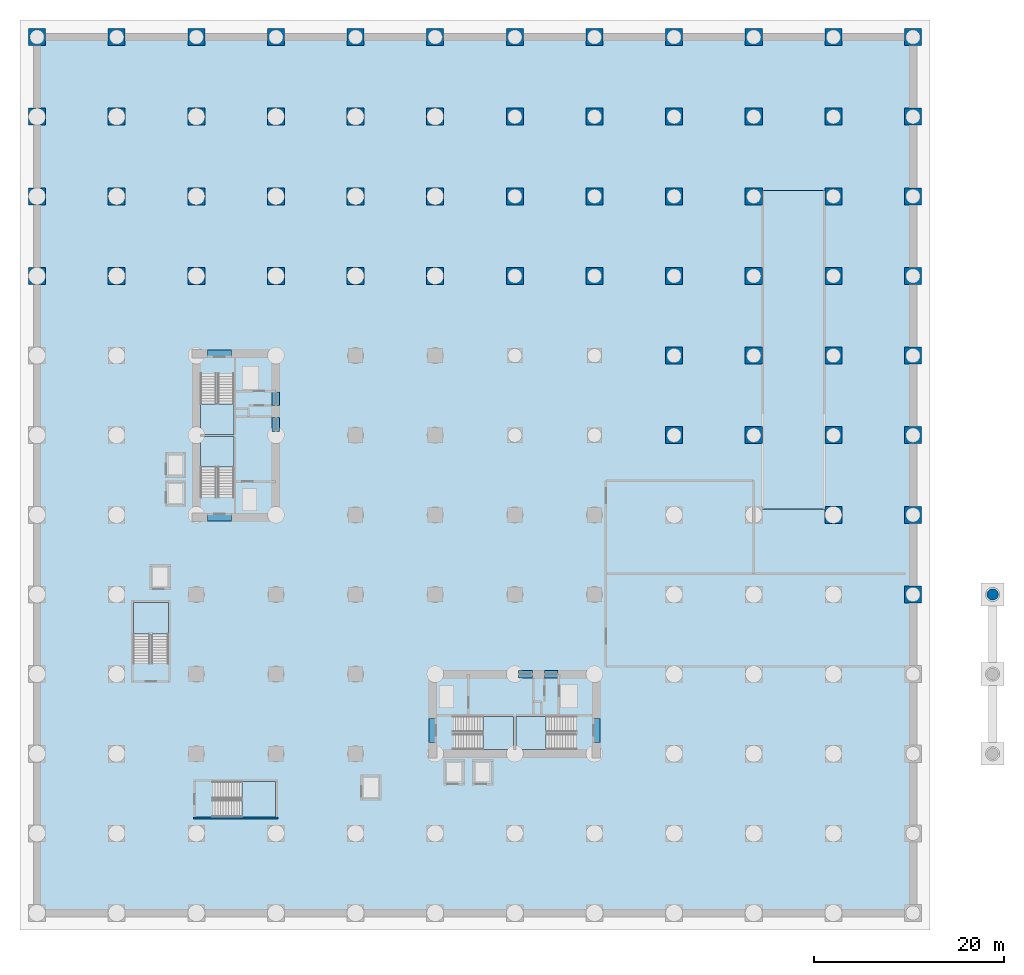
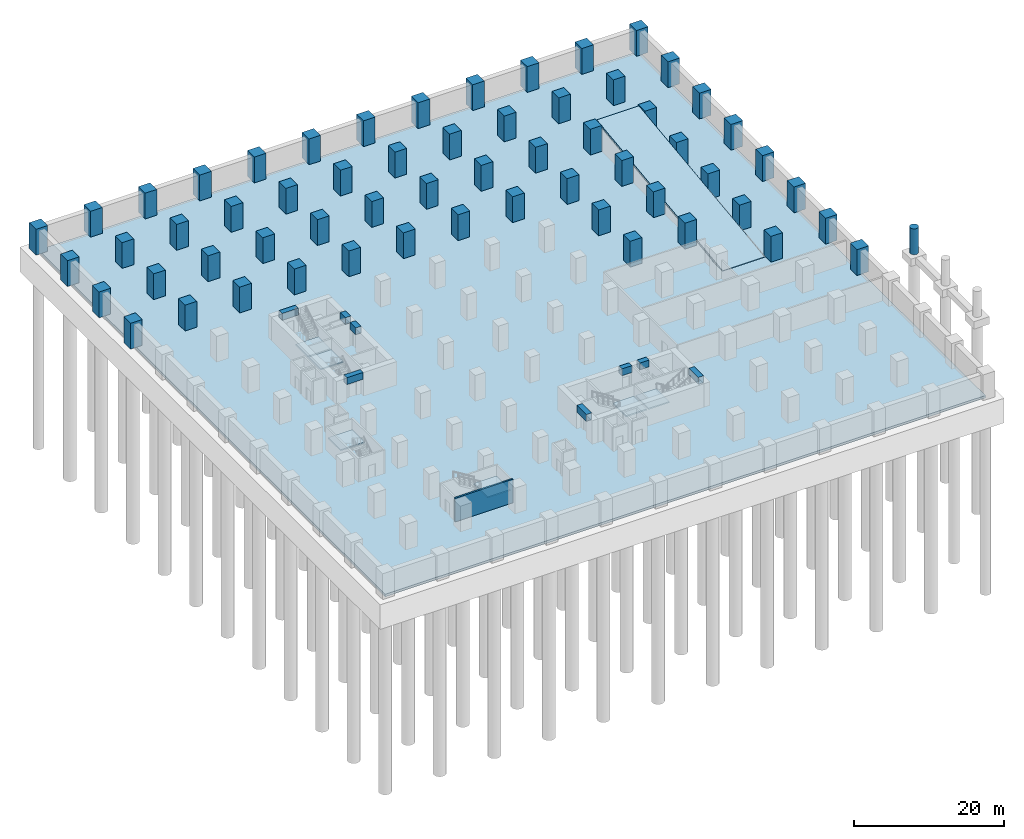
# One storey, part 2 of 12: 60 columns, 8 beams, 8 slabs, 1 wall, 6 elements without a shape of their own.
"""IFC4 building model written with IfcOpenShell, lengths in metres."""

from ifc_helpers import new_model, si_unit, direction, frame, frame_2d, origin, origin_2d, place, context, subcontext, project, spatial, polyline, rectangle, circle, outline, extrude, material, layer, layer_set, material_profile, profile_set, type_object, element, aggregate, save


model = new_model("IFC4")

# Units and contexts
model_context = context("Model", 3, precision=1e-05, world=origin(), true_north=direction((0.0, 1.0)))
body_context = subcontext(model_context, "Body", "Model", "MODEL_VIEW")
ifc_project = project(units=[si_unit("LENGTHUNIT", "METRE"), si_unit("AREAUNIT", "SQUARE_METRE"), si_unit("VOLUMEUNIT", "CUBIC_METRE"), si_unit("PLANEANGLEUNIT", "RADIAN"), si_unit("MASSUNIT", "GRAM", prefix="KILO")], contexts=[model_context])

# Site, building, storey
site_placement = place(None, origin())
site = spatial("IfcSite", under=ifc_project, at=site_placement, CompositionType="ELEMENT")
building_placement = place(site_placement, origin())
building = spatial("IfcBuilding", under=site, at=building_placement, Name="Koriwani Terraces Tower", CompositionType="ELEMENT")
storey_placement = place(building_placement, frame((0.0, 0.0, -8.39990234375)))
storey = spatial("IfcBuildingStorey", under=building, at=storey_placement, Name="B02", CompositionType="ELEMENT", Elevation=-8.39990234375)

# Columns
ifc_material_1 = material(Name="Concrete C50/60", Category="concrete")
ifc_material_profile_1 = material_profile(ifc_material_1, circle(Radius=0.60009765625, at=origin_2d()), Name="Concrete C50/60", Category="LoadBearing")
ifc_profile_set_1 = profile_set([ifc_material_profile_1], Name="Concrete C50/60")
column_type_1 = type_object("IfcColumnType", Name="COL_RC_1200_RND", PredefinedType="COLUMN", material=ifc_profile_set_1)
column_placement = place(storey_placement, frame((100.800048828125, 33.60009765625, 0.0), z_axis=(0.0, 0.0, 1.0), x_axis=(1.0, 0.0, 0.0)))
element("IfcColumn", 1, at=column_placement, inside=storey, type_object=column_type_1, Name="B02 Porte-Cochere Column PC-3", PredefinedType="COLUMN", context=body_context, shape_type="SweptSolid", body=[
    extrude(circle(Radius=0.60009765625, at=origin_2d()), origin(), (0.0, 0.0, 1.0), 4.199951171875),
])
ifc_material_2 = material(Name="Concrete C60/75", Category="concrete")
ifc_material_profile_2 = material_profile(ifc_material_2, rectangle(XDim=1.800048828125, YDim=1.800048828125, at=origin_2d()), Name="Concrete C60/75", Category="LoadBearing")
ifc_profile_set_2 = profile_set([ifc_material_profile_2], Name="Concrete C60/75")
column_type_2 = type_object("IfcColumnType", Name="COL_RC_1800X1800", PredefinedType="COLUMN", material=ifc_profile_set_2)
for number, where, z_axis, x_axis, name in (
    (2, (0.0, 67.199951171875, 0.0), (0.0, 0.0, 1.0), (1.0, 0.0, 0.0), "B02 Column 1/I"),
    (3, (0.0, 75.60009765625, 0.0), (0.0, 0.0, 1.0), (1.0, 0.0, 0.0), "B02 Column 1/J"),
    (4, (0.0, 84.0, 0.0), (0.0, 0.0, 1.0), (1.0, 0.0, 0.0), "B02 Column 1/K"),
    (5, (0.0, 92.39990234375, 0.0), (0.0, 0.0, 1.0), (1.0, 0.0, 0.0), "B02 Column 1/L"),
    (6, (8.39990234375, 67.199951171875, 0.0), (0.0, 0.0, 1.0), (1.0, 0.0, 0.0), "B02 Column 2/I"),
    (7, (8.39990234375, 75.60009765625, 0.0), (0.0, 0.0, 1.0), (1.0, 0.0, 0.0), "B02 Column 2/J"),
    (8, (8.39990234375, 84.0, 0.0), (0.0, 0.0, 1.0), (1.0, 0.0, 0.0), "B02 Column 2/K"),
    (9, (8.39990234375, 92.39990234375, 0.0), (0.0, 0.0, 1.0), (1.0, 0.0, 0.0), "B02 Column 2/L"),
    (10, (16.800048828125, 67.199951171875, 0.0), (0.0, 0.0, 1.0), (1.0, 0.0, 0.0), "B02 Column 3/I"),
    (11, (16.800048828125, 75.60009765625, 0.0), (0.0, 0.0, 1.0), (1.0, 0.0, 0.0), "B02 Column 3/J"),
    (12, (16.800048828125, 84.0, 0.0), (0.0, 0.0, 1.0), (1.0, 0.0, 0.0), "B02 Column 3/K"),
    (13, (16.800048828125, 92.39990234375, 0.0), (0.0, 0.0, 1.0), (1.0, 0.0, 0.0), "B02 Column 3/L"),
    (14, (25.199951171875, 67.199951171875, 0.0), (0.0, 0.0, 1.0), (1.0, 0.0, 0.0), "B02 Column 4/I"),
    (15, (25.199951171875, 75.60009765625, 0.0), (0.0, 0.0, 1.0), (1.0, 0.0, 0.0), "B02 Column 4/J"),
    (16, (25.199951171875, 84.0, 0.0), (0.0, 0.0, 1.0), (1.0, 0.0, 0.0), "B02 Column 4/K"),
    (17, (25.199951171875, 92.39990234375, 0.0), (0.0, 0.0, 1.0), (1.0, 0.0, 0.0), "B02 Column 4/L"),
    (18, (33.60009765625, 67.199951171875, 0.0), (0.0, 0.0, 1.0), (1.0, 0.0, 0.0), "B02 Column 5/I"),
    (19, (33.60009765625, 75.60009765625, 0.0), (0.0, 0.0, 1.0), (1.0, 0.0, 0.0), "B02 Column 5/J"),
    (20, (33.60009765625, 84.0, 0.0), (0.0, 0.0, 1.0), (1.0, 0.0, 0.0), "B02 Column 5/K"),
    (21, (33.60009765625, 92.39990234375, 0.0), (0.0, 0.0, 1.0), (1.0, 0.0, 0.0), "B02 Column 5/L"),
    (22, (42.0, 67.199951171875, 0.0), (0.0, 0.0, 1.0), (1.0, 0.0, 0.0), "B02 Column 6/I"),
    (23, (42.0, 75.60009765625, 0.0), (0.0, 0.0, 1.0), (1.0, 0.0, 0.0), "B02 Column 6/J"),
    (24, (42.0, 84.0, 0.0), (0.0, 0.0, 1.0), (1.0, 0.0, 0.0), "B02 Column 6/K"),
    (25, (42.0, 92.39990234375, 0.0), (0.0, 0.0, 1.0), (1.0, 0.0, 0.0), "B02 Column 6/L"),
    (26, (50.39990234375, 67.199951171875, 0.0), (0.0, 0.0, 1.0), (1.0, 0.0, 0.0), "B02 Column 7/I"),
    (27, (50.39990234375, 75.60009765625, 0.0), (0.0, 0.0, 1.0), (1.0, 0.0, 0.0), "B02 Column 7/J"),
    (28, (50.39990234375, 84.0, 0.0), (0.0, 0.0, 1.0), (1.0, 0.0, 0.0), "B02 Column 7/K"),
    (29, (50.39990234375, 92.39990234375, 0.0), (0.0, 0.0, 1.0), (1.0, 0.0, 0.0), "B02 Column 7/L"),
    (30, (58.800048828125, 67.199951171875, 0.0), (0.0, 0.0, 1.0), (1.0, 0.0, 0.0), "B02 Column 8/I"),
    (31, (58.800048828125, 75.60009765625, 0.0), (0.0, 0.0, 1.0), (1.0, 0.0, 0.0), "B02 Column 8/J"),
    (32, (58.800048828125, 84.0, 0.0), (0.0, 0.0, 1.0), (1.0, 0.0, 0.0), "B02 Column 8/K"),
    (33, (58.800048828125, 92.39990234375, 0.0), (0.0, 0.0, 1.0), (1.0, 0.0, 0.0), "B02 Column 8/L"),
    (34, (67.199951171875, 50.39990234375, 0.0), (0.0, 0.0, 1.0), (1.0, 0.0, 0.0), "B02 Column 9/G"),
    (35, (67.199951171875, 58.800048828125, 0.0), (0.0, 0.0, 1.0), (1.0, 0.0, 0.0), "B02 Column 9/H"),
    (36, (67.199951171875, 67.199951171875, 0.0), (0.0, 0.0, 1.0), (1.0, 0.0, 0.0), "B02 Column 9/I"),
    (37, (67.199951171875, 75.60009765625, 0.0), (0.0, 0.0, 1.0), (1.0, 0.0, 0.0), "B02 Column 9/J"),
    (38, (67.199951171875, 84.0, 0.0), (0.0, 0.0, 1.0), (1.0, 0.0, 0.0), "B02 Column 9/K"),
    (39, (67.199951171875, 92.39990234375, 0.0), (0.0, 0.0, 1.0), (1.0, 0.0, 0.0), "B02 Column 9/L"),
    (40, (75.60009765625, 50.39990234375, 0.0), (0.0, 0.0, 1.0), (1.0, 0.0, 0.0), "B02 Column 10/G"),
    (41, (75.60009765625, 58.800048828125, 0.0), (0.0, 0.0, 1.0), (1.0, 0.0, 0.0), "B02 Column 10/H"),
    (42, (75.60009765625, 67.199951171875, 0.0), (0.0, 0.0, 1.0), (1.0, 0.0, 0.0), "B02 Column 10/I"),
    (43, (75.60009765625, 75.60009765625, 0.0), (0.0, 0.0, 1.0), (1.0, 0.0, 0.0), "B02 Column 10/J"),
    (44, (75.60009765625, 84.0, 0.0), (0.0, 0.0, 1.0), (1.0, 0.0, 0.0), "B02 Column 10/K"),
    (45, (75.60009765625, 92.39990234375, 0.0), (0.0, 0.0, 1.0), (1.0, 0.0, 0.0), "B02 Column 10/L"),
    (46, (84.0, 42.0, 0.0), (0.0, 0.0, 1.0), (1.0, 0.0, 0.0), "B02 Column 11/F"),
    (47, (84.0, 50.39990234375, 0.0), (0.0, 0.0, 1.0), (1.0, 0.0, 0.0), "B02 Column 11/G"),
    (48, (84.0, 58.800048828125, 0.0), (0.0, 0.0, 1.0), (1.0, 0.0, 0.0), "B02 Column 11/H"),
    (49, (84.0, 67.199951171875, 0.0), (0.0, 0.0, 1.0), (1.0, 0.0, 0.0), "B02 Column 11/I"),
    (50, (84.0, 75.60009765625, 0.0), (0.0, 0.0, 1.0), (1.0, 0.0, 0.0), "B02 Column 11/J"),
    (51, (84.0, 84.0, 0.0), (0.0, 0.0, 1.0), (1.0, 0.0, 0.0), "B02 Column 11/K"),
    (52, (84.0, 92.39990234375, 0.0), (0.0, 0.0, 1.0), (1.0, 0.0, 0.0), "B02 Column 11/L"),
    (53, (92.39990234375, 33.60009765625, 0.0), (0.0, 0.0, 1.0), (1.0, 0.0, 0.0), "B02 Column 12/E"),
    (54, (92.39990234375, 42.0, 0.0), (0.0, 0.0, 1.0), (1.0, 0.0, 0.0), "B02 Column 12/F"),
    (55, (92.39990234375, 50.39990234375, 0.0), (0.0, 0.0, 1.0), (1.0, 0.0, 0.0), "B02 Column 12/G"),
    (56, (92.39990234375, 58.800048828125, 0.0), (0.0, 0.0, 1.0), (1.0, 0.0, 0.0), "B02 Column 12/H"),
    (57, (92.39990234375, 67.199951171875, 0.0), (0.0, 0.0, 1.0), (1.0, 0.0, 0.0), "B02 Column 12/I"),
    (58, (92.39990234375, 75.60009765625, 0.0), (0.0, 0.0, 1.0), (1.0, 0.0, 0.0), "B02 Column 12/J"),
    (59, (92.39990234375, 84.0, 0.0), (0.0, 0.0, 1.0), (1.0, 0.0, 0.0), "B02 Column 12/K"),
    (60, (92.39990234375, 92.39990234375, 0.0), (0.0, 0.0, 1.0), (1.0, 0.0, 0.0), "B02 Column 12/L"),
):
    element("IfcColumn", number, at=place(storey_placement, frame(where, z_axis=z_axis, x_axis=x_axis)), inside=storey, type_object=column_type_2, Name=name, PredefinedType="COLUMN", context=body_context, shape_type="SweptSolid", body=[
        extrude(rectangle(XDim=1.800048828125, YDim=1.800048828125, at=origin_2d()), origin(), (0.0, 0.0, 1.0), 4.199951171875),
    ])

# Beams
ifc_material_profile_3 = material_profile(ifc_material_2, rectangle(XDim=0.800048828125, YDim=1.10009765625, at=origin_2d()), Name="Concrete C60/75", Category="LoadBearing")
ifc_profile_set_3 = profile_set([ifc_material_profile_3], Name="Concrete C60/75")
beam_type = type_object("IfcBeamType", Name="BEAM_RC_COUPLING_800X1100", PredefinedType="LINTEL", material=ifc_profile_set_3)
beam_1_placement = place(storey_placement, frame((25.199951171875, 50.800048828125, 3.2998046875), z_axis=(0.0, 1.0, 0.0), x_axis=(-1.0, 0.0, 0.0)))
element("IfcBeam", 61, at=beam_1_placement, inside=storey, type_object=beam_type, Name="B02 Core Coupling Lintel Beam WE1", PredefinedType="LINTEL", context=body_context, shape_type="SweptSolid", body=[
    extrude(rectangle(XDim=0.800048828125, YDim=1.10009765625, at=origin_2d()), origin(), (0.0, 0.0, 1.0), 1.47998046875),
])
beam_2_placement = place(storey_placement, frame((25.199951171875, 53.550048828125, 3.2998046875), z_axis=(0.0, 1.0, 0.0), x_axis=(-1.0, 0.0, 0.0)))
element("IfcBeam", 62, at=beam_2_placement, inside=storey, type_object=beam_type, Name="B02 Core Coupling Lintel Beam WE2", PredefinedType="LINTEL", context=body_context, shape_type="SweptSolid", body=[
    extrude(rectangle(XDim=0.800048828125, YDim=1.10009765625, at=origin_2d()), origin(), (0.0, 0.0, 1.0), 1.39990234375),
])
for number, where, z_axis, x_axis, name in (
    (63, (18.0, 41.75, 3.2998046875), (1.0, 0.0, 0.0), (0.0, 1.0, 0.0), "B02 Core Coupling Lintel Beam WS"),
    (64, (18.0, 59.0, 3.2998046875), (1.0, 0.0, 0.0), (0.0, 1.0, 0.0), "B02 Core Coupling Lintel Beam WN"),
):
    element("IfcBeam", number, at=place(storey_placement, frame(where, z_axis=z_axis, x_axis=x_axis)), inside=storey, type_object=beam_type, Name=name, PredefinedType="LINTEL", context=body_context, shape_type="SweptSolid", body=[
        extrude(rectangle(XDim=0.800048828125, YDim=1.10009765625, at=origin_2d()), origin(), (0.0, 0.0, 1.0), 2.5),
    ])
beam_3_placement = place(storey_placement, frame((50.800048828125, 25.199951171875, 3.2998046875), z_axis=(1.0, 0.0, 0.0), x_axis=(0.0, 1.0, 0.0)))
element("IfcBeam", 65, at=beam_3_placement, inside=storey, type_object=beam_type, Name="B02 Core Coupling Lintel Beam EN1", PredefinedType="LINTEL", context=body_context, shape_type="SweptSolid", body=[
    extrude(rectangle(XDim=0.800048828125, YDim=1.10009765625, at=origin_2d()), origin(), (0.0, 0.0, 1.0), 1.47998046875),
])
beam_4_placement = place(storey_placement, frame((53.550048828125, 25.199951171875, 3.2998046875), z_axis=(1.0, 0.0, 0.0), x_axis=(0.0, 1.0, 0.0)))
element("IfcBeam", 66, at=beam_4_placement, inside=storey, type_object=beam_type, Name="B02 Core Coupling Lintel Beam EN2", PredefinedType="LINTEL", context=body_context, shape_type="SweptSolid", body=[
    extrude(rectangle(XDim=0.800048828125, YDim=1.10009765625, at=origin_2d()), origin(), (0.0, 0.0, 1.0), 1.39990234375),
])
for number, where, z_axis, x_axis, name in (
    (67, (41.75, 18.0, 3.2998046875), (0.0, 1.0, 0.0), (-1.0, 0.0, 0.0), "B02 Core Coupling Lintel Beam EW"),
    (68, (59.0, 18.0, 3.2998046875), (0.0, 1.0, 0.0), (-1.0, 0.0, 0.0), "B02 Core Coupling Lintel Beam EE"),
):
    element("IfcBeam", number, at=place(storey_placement, frame(where, z_axis=z_axis, x_axis=x_axis)), inside=storey, type_object=beam_type, Name=name, PredefinedType="LINTEL", context=body_context, shape_type="SweptSolid", body=[
        extrude(rectangle(XDim=0.800048828125, YDim=1.10009765625, at=origin_2d()), origin(), (0.0, 0.0, 1.0), 2.5),
    ])

# Slab
ifc_layer_1 = layer(ifc_material_1, 0.39990234375, Name="Concrete C50/60")
ifc_layer_set_1 = layer_set([ifc_layer_1], Name="Concrete C50/60")
slab_type_1 = type_object("IfcSlabType", Name="SLAB_BASEMENT_MAT_400", PredefinedType="BASESLAB", material=ifc_layer_set_1)
slab_1_placement = place(storey_placement, frame((0.0, 0.0, -0.400146484375)))
element("IfcSlab", 69, at=slab_1_placement, inside=storey, type_object=slab_type_1, Name="B02 Structural Floor Slab", PredefinedType="BASESLAB", context=body_context, shape_type="SweptSolid", body=[
    extrude(outline(polyline([(0.0, 0.0), (92.39990234375, 0.0), (92.39990234375, 92.39990234375), (0.0, 92.39990234375), (0.0, 0.0)]), holes=[polyline([(76.5, 42.550048828125), (83.10009765625, 42.550048828125), (83.10009765625, 45.35009765625), (76.5, 45.35009765625), (76.5, 42.550048828125)])]), origin(), (0.0, 0.0, 1.0), 0.400146484375),
])

# Stair, slab
ifc_material_3 = material(Name="Concrete C40/50", Category="concrete")
stair_type_1 = type_object("IfcStairType", Name="STAIR_CORE_DOGLEG_1650", PredefinedType="TWO_STRAIGHT_RUN_STAIR", material=ifc_material_3)
stair_1_placement = place(storey_placement, origin())
stair_1 = element("IfcStair", 70, at=stair_1_placement, inside=storey, type_object=stair_type_1, Name="B02 West Core Exit Stair 1", PredefinedType="HALF_TURN_STAIR")
ifc_layer_2 = layer(ifc_material_3, 0.199951171875, Name="Concrete C40/50")
ifc_layer_set_2 = layer_set([ifc_layer_2], Name="Concrete C40/50")
slab_type_2 = type_object("IfcSlabType", Name="SLAB_STAIR_LANDING_200", PredefinedType="LANDING", material=ifc_layer_set_2)
slab_2_placement = place(storey_placement, frame((0.0, 0.0, 1.89990234375)))
slab_2 = element("IfcSlab", 71, at=slab_2_placement, type_object=slab_type_2, Name="ST-W1 landing 1", PredefinedType="LANDING", context=body_context, shape_type="SweptSolid", body=[
    extrude(outline(polyline([(20.75, 47.0400390625), (20.75, 50.25), (17.25, 50.25), (17.25, 47.0400390625), (20.75, 47.0400390625)])), origin(), (0.0, 0.0, 1.0), 0.199951171875),
])
aggregate(stair_1, [slab_2])

stair_2_placement = place(storey_placement, origin())
stair_2 = element("IfcStair", 72, at=stair_2_placement, inside=storey, type_object=stair_type_1, Name="B02 West Core Exit Stair 2", PredefinedType="HALF_TURN_STAIR")
slab_3_placement = place(storey_placement, frame((0.0, 0.0, 1.89990234375)))
slab_3 = element("IfcSlab", 73, at=slab_3_placement, type_object=slab_type_2, Name="ST-W2 landing 1", PredefinedType="LANDING", context=body_context, shape_type="SweptSolid", body=[
    extrude(outline(polyline([(17.25, 53.7099609375), (17.25, 50.5), (20.75, 50.5), (20.75, 53.7099609375), (17.25, 53.7099609375)])), origin(), (0.0, 0.0, 1.0), 0.199951171875),
])
aggregate(stair_2, [slab_3])

stair_3_placement = place(storey_placement, origin())
stair_3 = element("IfcStair", 74, at=stair_3_placement, inside=storey, type_object=stair_type_1, Name="B02 East Core Exit Stair 1", PredefinedType="HALF_TURN_STAIR")
slab_4_placement = place(storey_placement, frame((0.0, 0.0, 1.89990234375)))
slab_4 = element("IfcSlab", 75, at=slab_4_placement, type_object=slab_type_2, Name="ST-E1 landing 1", PredefinedType="LANDING", context=body_context, shape_type="SweptSolid", body=[
    extrude(outline(polyline([(47.0400390625, 17.25), (50.25, 17.25), (50.25, 20.75), (47.0400390625, 20.75), (47.0400390625, 17.25)])), origin(), (0.0, 0.0, 1.0), 0.199951171875),
])
aggregate(stair_3, [slab_4])

stair_4_placement = place(storey_placement, origin())
stair_4 = element("IfcStair", 76, at=stair_4_placement, inside=storey, type_object=stair_type_1, Name="B02 East Core Exit Stair 2", PredefinedType="HALF_TURN_STAIR")
slab_5_placement = place(storey_placement, frame((0.0, 0.0, 1.89990234375)))
slab_5 = element("IfcSlab", 77, at=slab_5_placement, type_object=slab_type_2, Name="ST-E2 landing 1", PredefinedType="LANDING", context=body_context, shape_type="SweptSolid", body=[
    extrude(outline(polyline([(53.7099609375, 20.75), (50.5, 20.75), (50.5, 17.25), (53.7099609375, 17.25), (53.7099609375, 20.75)])), origin(), (0.0, 0.0, 1.0), 0.199951171875),
])
aggregate(stair_4, [slab_5])

stair_type_2 = type_object("IfcStairType", Name="STAIR_PODIUM_DOGLEG_1750", PredefinedType="TWO_STRAIGHT_RUN_STAIR", material=ifc_material_3)
stair_5_placement = place(storey_placement, origin())
stair_5 = element("IfcStair", 78, at=stair_5_placement, inside=storey, type_object=stair_type_2, Name="B02 Podium West Exit Stair", PredefinedType="HALF_TURN_STAIR")
slab_6_placement = place(storey_placement, frame((0.0, 0.0, 1.89990234375)))
slab_6 = element("IfcSlab", 79, at=slab_6_placement, type_object=slab_type_2, Name="ST-P1 landing 1", PredefinedType="LANDING", context=body_context, shape_type="SweptSolid", body=[
    extrude(outline(polyline([(13.85009765625, 29.43505859375), (13.85009765625, 32.75), (10.14990234375, 32.75), (10.14990234375, 29.43505859375), (13.85009765625, 29.43505859375)])), origin(), (0.0, 0.0, 1.0), 0.199951171875),
])
aggregate(stair_5, [slab_6])

stair_6_placement = place(storey_placement, origin())
stair_6 = element("IfcStair", 80, at=stair_6_placement, inside=storey, type_object=stair_type_2, Name="B02 Podium South Exit Stair", PredefinedType="HALF_TURN_STAIR")
slab_7_placement = place(storey_placement, frame((0.0, 0.0, 1.89990234375)))
slab_7 = element("IfcSlab", 81, at=slab_7_placement, type_object=slab_type_2, Name="ST-P2 landing 1", PredefinedType="LANDING", context=body_context, shape_type="SweptSolid", body=[
    extrude(outline(polyline([(21.635009765625, 10.14990234375), (25.14990234375, 10.14990234375), (25.14990234375, 13.85009765625), (21.635009765625, 13.85009765625), (21.635009765625, 10.14990234375)])), origin(), (0.0, 0.0, 1.0), 0.199951171875),
])
aggregate(stair_6, [slab_7])

# Slab
ifc_layer_3 = layer(ifc_material_3, 0.300048828125, Name="Concrete C40/50")
ifc_layer_set_3 = layer_set([ifc_layer_3], Name="Concrete C40/50")
slab_type_3 = type_object("IfcSlabType", Name="SLAB_VEHICLE_RAMP_300", PredefinedType="USERDEFINED", material=ifc_layer_set_3)
slab_8_placement = place(storey_placement, frame((76.550048828125, 42.60009765625, 0.0), z_axis=(0.0, -0.124033847203, 0.992277987637), x_axis=(1.0, 0.0, 0.0)))
element("IfcSlab", 82, at=slab_8_placement, inside=storey, type_object=slab_type_3, Name="Vehicle Car Park Structural Ramp Slab 1 (B02 to B01)", ObjectType="RAMP", PredefinedType="USERDEFINED", context=body_context, shape_type="SweptSolid", body=[
    extrude(outline(polyline([(0.0, 0.0), (6.5, 0.0), (6.5, 33.86133113327933), (0.0, 33.86133113327933), (0.0, 0.0)])), origin(), (0.0, 0.0, -1.0), 0.300048828125),
])

# Wall
ifc_layer_4 = layer(ifc_material_3, 0.25, Name="Concrete C40/50")
ifc_layer_set_4 = layer_set([ifc_layer_4], Name="Concrete C40/50")
wall_type = type_object("IfcWallType", Name="WALL_SHAFT_RATED_250", PredefinedType="SOLIDWALL", material=ifc_layer_set_4)
wall_placement = place(storey_placement, frame((16.5, 10.02490234375, 0.0), z_axis=(0.0, 0.0, 1.0), x_axis=(1.0, 0.0, 0.0)))
element("IfcWall", 83, at=wall_placement, inside=storey, type_object=wall_type, Name="B02 Podium Stair ST-P2 South Bearing Wall", PredefinedType="SOLIDWALL", context=body_context, shape_type="SweptSolid", body=[
    extrude(rectangle(XDim=8.89990234375, YDim=0.25, at=frame_2d((4.449951171875, 0.0))), origin(), (0.0, 0.0, 1.0), 3.849853515625),
])

save(model, "model.ifc")
